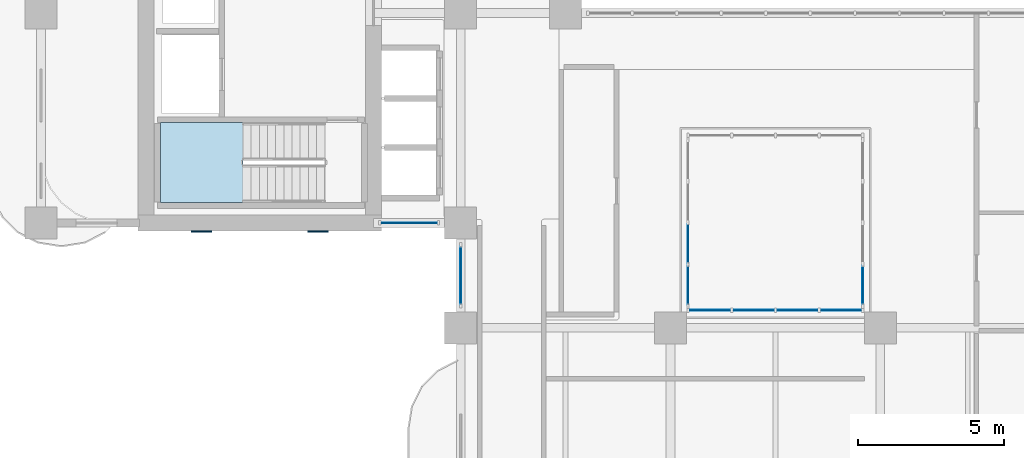
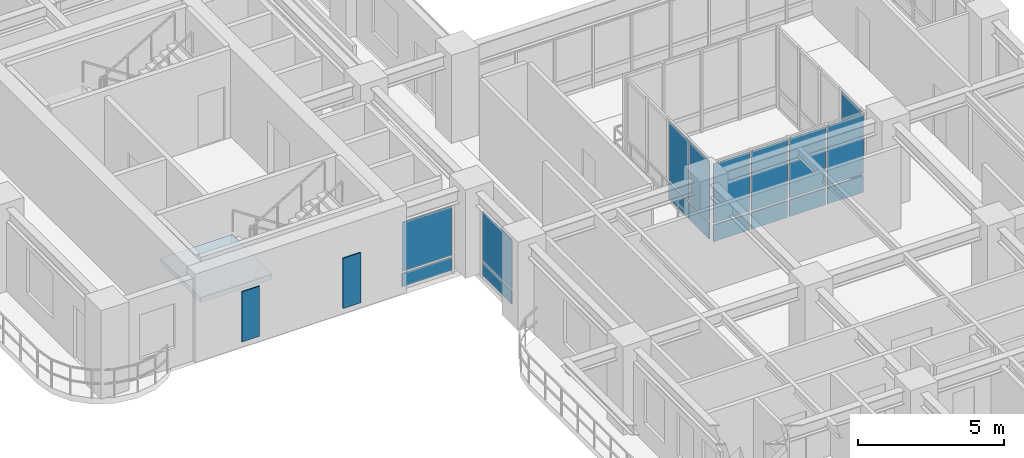
# One storey, part 9 of 22: 20 plates, 1 slab, 6 elements without a shape of their own.
"""IFC4 building model written with IfcOpenShell, lengths in metres."""

import ifcopenshell
import ifcopenshell.guid

model = None  # the IFC model being written
_history = None  # IfcOwnerHistory: only IFC2X3 demands one
_inside = {}  # id of a spatial element -> (the spatial element, [elements in it])
_under = {}  # id of a project, library or spatial element -> (it, [spatial elements below it])
_declared = {}  # id of a project -> (the project, [libraries it declares])
_typed = {}  # id of a type object -> (the type object, [elements of that type])
_made_of = {}  # id of a material, layer set ... -> (it, [elements and type objects made of it])


def new_model(schema):
    """Start an empty IFC model of exactly this schema.

    Asked for "IFC4X3", IfcOpenShell would pick the latest addendum, in which some entities
    have other attributes; the version numbers below select the first issue.
    IFC2X3 requires an IfcOwnerHistory on every rooted entity: one is made here for all.
    """
    global model, _history
    if schema == "IFC4X3":
        model = ifcopenshell.file(schema_version=(4, 3, 0, 0))
    else:
        model = ifcopenshell.file(schema=schema)
    _inside.clear()
    _under.clear()
    _declared.clear()
    _typed.clear()
    _made_of.clear()
    _history = None
    if model.schema == "IFC2X3":
        org = make("IfcOrganization", Name="unknown")
        user = make(
            "IfcPersonAndOrganization",
            ThePerson=make("IfcPerson", FamilyName="unknown"),
            TheOrganization=org,
        )
        app = make(
            "IfcApplication",
            ApplicationDeveloper=org,
            Version="unknown",
            ApplicationFullName="unknown",
            ApplicationIdentifier="unknown",
        )
        _history = make(
            "IfcOwnerHistory",
            OwningUser=user,
            OwningApplication=app,
            ChangeAction="ADDED",
            CreationDate=0,
        )
    return model


def make(cls, **values):
    """One entity of the class cls with the attributes given. An attribute that is None is left unset."""
    return model.create_entity(
        cls, **{name: value for name, value in values.items() if value is not None}
    )


def rooted(cls, **values):
    """An entity with a GlobalId (a new one), such as an element, a storey or a relation."""
    return make(cls, GlobalId=ifcopenshell.guid.new(), OwnerHistory=_history, **values)


def si_unit(unit_type, name, prefix=None):
    """IfcSIUnit, for example si_unit("LENGTHUNIT", "METRE", prefix="MILLI")."""
    return make("IfcSIUnit", UnitType=unit_type, Prefix=prefix, Name=name)


def derived_unit(unit_type, elements):
    """IfcDerivedUnit: a product of units, each with its exponent."""
    return make(
        "IfcDerivedUnit",
        Elements=[
            make("IfcDerivedUnitElement", Unit=unit, Exponent=power)
            for unit, power in elements
        ],
        UnitType=unit_type,
    )


def assignment(units):
    """IfcUnitAssignment: the units of a project."""
    return None if units is None else make("IfcUnitAssignment", Units=units)


def point(xyz):
    """IfcCartesianPoint."""
    return None if xyz is None else make("IfcCartesianPoint", Coordinates=xyz)


def direction(xyz):
    """IfcDirection."""
    return None if xyz is None else make("IfcDirection", DirectionRatios=xyz)


def frame(location, z_axis=None, x_axis=None):
    """IfcAxis2Placement3D, a coordinate frame: its origin and axes. An axis left out is left unset."""
    return make(
        "IfcAxis2Placement3D",
        Location=point(location),
        Axis=direction(z_axis),
        RefDirection=direction(x_axis),
    )


def frame_2d(location, x_axis=None):
    """IfcAxis2Placement2D, a coordinate frame in the plane: its origin and x axis."""
    return make(
        "IfcAxis2Placement2D", Location=point(location), RefDirection=direction(x_axis)
    )


def origin():
    """The frame at (0, 0, 0) with its axes left unset."""
    return frame((0.0, 0.0, 0.0))


def origin_2d():
    """The frame at (0, 0) in the plane with its x axis left unset."""
    return frame_2d((0.0, 0.0))


def place(relative_to, where):
    """IfcLocalPlacement: puts the frame where relative to a parent placement (None: the world)."""
    return make(
        "IfcLocalPlacement", PlacementRelTo=relative_to, RelativePlacement=where
    )


def context(
    kind, dimensions, precision=None, world=None, true_north=None, identifier=None
):
    """IfcGeometricRepresentationContext, for example the 3D "Model" context."""
    return make(
        "IfcGeometricRepresentationContext",
        ContextIdentifier=identifier,
        ContextType=kind,
        CoordinateSpaceDimension=dimensions,
        Precision=precision,
        WorldCoordinateSystem=world,
        TrueNorth=true_north,
    )


def subcontext(parent, identifier, kind, view, scale=None):
    """IfcGeometricRepresentationSubContext, for example "Body" below "Model"."""
    return make(
        "IfcGeometricRepresentationSubContext",
        ContextIdentifier=identifier,
        ContextType=kind,
        ParentContext=parent,
        TargetScale=scale,
        TargetView=view,
    )


def project(units=None, contexts=None):
    """IfcProject with its units and contexts."""
    return rooted(
        "IfcProject",
        Name="project",
        RepresentationContexts=contexts,
        UnitsInContext=assignment(units),
    )


def spatial(cls, under=None, at=None, **own):
    """A site, building, storey or space (cls), placed at a placement, below another one or the project."""
    s = rooted(cls, ObjectPlacement=at, **own)
    if under is not None:
        _under.setdefault(under.id(), (under, []))[1].append(s)
    return s


def polyline(points):
    """IfcPolyline through the points."""
    return make("IfcPolyline", Points=[point(p) for p in points])


def profile(cls, at=None, kind="AREA", **sizes):
    """A parametric profile (cls). Its sizes go by their IFC names, for example OverallWidth=200.0."""
    return make(cls, ProfileType=kind, Position=at, **sizes)


def rectangle(**sizes):
    """IfcRectangleProfileDef."""
    return profile("IfcRectangleProfileDef", **sizes)


def outline(outer, holes=None, kind="AREA"):
    """IfcArbitraryClosedProfileDef: a profile drawn as a closed curve; with holes, ...WithVoids."""
    if holes is None:
        return make("IfcArbitraryClosedProfileDef", ProfileType=kind, OuterCurve=outer)
    return make(
        "IfcArbitraryProfileDefWithVoids",
        ProfileType=kind,
        OuterCurve=outer,
        InnerCurves=holes,
    )


def extrude(swept, where, along, depth):
    """IfcExtrudedAreaSolid: the profile swept, set in the frame where, extruded along a direction by depth."""
    return make(
        "IfcExtrudedAreaSolid",
        SweptArea=swept,
        Position=where,
        ExtrudedDirection=direction(along),
        Depth=depth,
    )


def shape(context_of_items, identifier, shape_type, items):
    """IfcShapeRepresentation: the items that make up one representation, for example the "Body"."""
    return make(
        "IfcShapeRepresentation",
        ContextOfItems=context_of_items,
        RepresentationIdentifier=identifier,
        RepresentationType=shape_type,
        Items=items,
    )


def source(mapping_origin, context_of_items, identifier, shape_type, items):
    """IfcRepresentationMap: a shape defined once, which mapped items show again and again."""
    return make(
        "IfcRepresentationMap",
        MappingOrigin=mapping_origin,
        MappedRepresentation=shape(context_of_items, identifier, shape_type, items),
    )


def transform(
    local_origin,
    x_axis=None,
    y_axis=None,
    z_axis=None,
    scale=None,
    scale2=None,
    scale3=None,
    uniform=True,
):
    """IfcCartesianTransformationOperator3D, or its non-uniform kind. x_axis, y_axis, z_axis: its Axis1, 2, 3."""
    if uniform:
        return make(
            "IfcCartesianTransformationOperator3D",
            Axis1=direction(x_axis),
            Axis2=direction(y_axis),
            LocalOrigin=point(local_origin),
            Scale=scale,
            Axis3=direction(z_axis),
        )
    return make(
        "IfcCartesianTransformationOperator3DnonUniform",
        Axis1=direction(x_axis),
        Axis2=direction(y_axis),
        LocalOrigin=point(local_origin),
        Scale=scale,
        Axis3=direction(z_axis),
        Scale2=scale2,
        Scale3=scale3,
    )


def mapped(mapping_source, mapping_target):
    """IfcMappedItem: shows the shape of a source again, moved by a transform."""
    return make(
        "IfcMappedItem", MappingSource=mapping_source, MappingTarget=mapping_target
    )


def material(Name=None, Category=None):
    """IfcMaterial."""
    return make("IfcMaterial", Name=Name, Category=Category)


def layer(
    of_material, thickness, ventilated=None, Name=None, Category=None, Priority=None
):
    """IfcMaterialLayer: one layer of a wall or slab, of a material (None: an air gap)."""
    return make(
        "IfcMaterialLayer",
        Material=of_material,
        LayerThickness=thickness,
        IsVentilated=ventilated,
        Name=Name,
        Category=Category,
        Priority=Priority,
    )


def layer_set(layers, Name=None):
    """IfcMaterialLayerSet."""
    return make("IfcMaterialLayerSet", MaterialLayers=layers, LayerSetName=Name)


def made_of(thing, what):
    """Note that an element or type object is made of a material, layer set ...; save() writes the relation."""
    if what is not None:
        _made_of.setdefault(what.id(), (what, []))[1].append(thing)
    return thing


def type_object(cls, material=None, **own):
    """A type object (cls), such as IfcWallType, which elements share."""
    return made_of(rooted(cls, **own), material)


def type_shapes(of_type, sources):
    """Give a type object the sources (RepresentationMaps) that its elements show as mapped items."""
    of_type.RepresentationMaps = sources


def element(
    cls,
    number,
    at=None,
    inside=None,
    cuts=None,
    type_object=None,
    material=None,
    context=None,
    identifier="Body",
    shape_type=None,
    held_by="IfcProductDefinitionShape",
    body=None,
    shapes=None,
    **own,
):
    """One element of the class cls, such as IfcWall. Its Tag is "e" and its number.

    at: its placement. inside: the storey or other place that contains it. cuts: it is an
    opening in that element (IfcRelVoidsElement). A single representation is given by context,
    identifier, shape_type and body (its items); several are given by shapes. held_by: the class
    of the entity that holds the representations. save() writes the other relations.
    """
    e = rooted(cls, Tag="e%d" % number, ObjectPlacement=at, **own)
    if body is not None:
        shapes = [shape(context, identifier, shape_type, body)]
    if shapes is not None:
        e.Representation = make(held_by, Representations=shapes)
    if inside is not None:
        _inside.setdefault(inside.id(), (inside, []))[1].append(e)
    if cuts is not None:
        rooted(
            "IfcRelVoidsElement", RelatingBuildingElement=cuts, RelatedOpeningElement=e
        )
    if type_object is not None:
        _typed.setdefault(type_object.id(), (type_object, []))[1].append(e)
    return made_of(e, material)


def aggregate(whole, parts):
    """IfcRelAggregates: a whole, such as a stair, and the parts it consists of."""
    return rooted("IfcRelAggregates", RelatingObject=whole, RelatedObjects=parts)


def save(model, path):
    """Write the relations noted so far, then the file.

    IfcRelAggregates (storeys below a building ...), IfcRelContainedInSpatialStructure (elements
    in a storey), IfcRelDefinesByType, IfcRelAssociatesMaterial and IfcRelDeclares: one each for
    every whole, place, type object, material and project.
    """
    for whole, parts in _under.values():
        aggregate(whole, parts)
    for where, things in _inside.values():
        rooted(
            "IfcRelContainedInSpatialStructure",
            RelatedElements=things,
            RelatingStructure=where,
        )
    for kind, things in _typed.values():
        rooted("IfcRelDefinesByType", RelatedObjects=things, RelatingType=kind)
    for what, things in _made_of.values():
        rooted("IfcRelAssociatesMaterial", RelatedObjects=things, RelatingMaterial=what)
    for by, libraries in _declared.values():
        rooted("IfcRelDeclares", RelatingContext=by, RelatedDefinitions=libraries)
    model.write(path)


model = new_model("IFC4")

# Units and contexts
model_context = context("Model", 3, precision=1e-05, world=origin(), true_north=direction((0.0, 1.0)))
body_context = subcontext(model_context, "Body", "Model", "MODEL_VIEW")
ifc_project = project(units=[si_unit("LENGTHUNIT", "METRE"), si_unit("AREAUNIT", "SQUARE_METRE"), si_unit("VOLUMEUNIT", "CUBIC_METRE"), si_unit("PLANEANGLEUNIT", "RADIAN"), si_unit("MASSUNIT", "GRAM", prefix="KILO"), si_unit("THERMODYNAMICTEMPERATUREUNIT", "KELVIN"), si_unit("POWERUNIT", "WATT"), derived_unit("THERMALTRANSMITTANCEUNIT", [(si_unit("POWERUNIT", "WATT"), 1), (si_unit("AREAUNIT", "SQUARE_METRE"), -1), (si_unit("THERMODYNAMICTEMPERATUREUNIT", "KELVIN"), -1)])], contexts=[model_context])

# Site, building, storey
site_placement = place(None, origin())
site = spatial("IfcSite", under=ifc_project, at=site_placement, CompositionType="ELEMENT")
building_placement = place(site_placement, origin())
building = spatial("IfcBuilding", under=site, at=building_placement, Name="Zahravan Archway Hotel and Residences", CompositionType="ELEMENT")
storey_placement = place(building_placement, frame((0.0, 0.0, 73.10009765625)))
storey = spatial("IfcBuildingStorey", under=building, at=storey_placement, Name="L17", CompositionType="ELEMENT", Elevation=73.10009765625)

# Stair, slab
ifc_material_1 = material(Name="Concrete C50/60", Category="concrete")
stair_type = type_object("IfcStairType", Name="STR-CORE-1300", PredefinedType="HALF_TURN_STAIR", material=ifc_material_1)
stair_placement = place(storey_placement, origin())
stair = element("IfcStair", 1, at=stair_placement, inside=storey, type_object=stair_type, Name="L17 Core B Exit Stair 1", PredefinedType="HALF_TURN_STAIR")
ifc_layer_1 = layer(ifc_material_1, 0.199951171875, Name="Concrete C50/60", Category="concrete")
ifc_layer_set_1 = layer_set([ifc_layer_1], Name="Concrete C50/60")
slab_type = type_object("IfcSlabType", Name="SLB-LND-200", PredefinedType="LANDING", material=ifc_layer_set_1)
slab_placement = place(storey_placement, frame((0.0, 0.0, 1.64990234375)))
slab = element("IfcSlab", 2, at=slab_placement, type_object=slab_type, Name="ST-B1 landing 1", PredefinedType="LANDING", context=body_context, shape_type="SweptSolid", body=[
    extrude(outline(polyline([(6.929931640625, 28.639892578125), (4.10009765625, 28.639892578125), (4.10009765625, 25.89990234375), (6.929931640625, 25.89990234375), (6.929931640625, 28.639892578125)])), origin(), (0.0, 0.0, 1.0), 0.199951171875),
])
aggregate(stair, [slab])

# Plates
ifc_material_2 = material(Name="Perforated Cast Bronze Jali Lattice")
ifc_layer_2 = layer(ifc_material_2, 0.044921875, Name="Perforated Cast Bronze Jali Lattice")
ifc_layer_set_2 = layer_set([ifc_layer_2], Name="Perforated Cast Bronze Jali Lattice")
plate_type_1 = type_object("IfcPlateType", Name="PLT-JALI-BAY", PredefinedType="USERDEFINED", material=ifc_layer_set_2)
shared_shape_1 = source(origin(), body_context, "Body", "SweptSolid", [
    extrude(rectangle(XDim=0.699951171875, YDim=0.044921875, at=origin_2d()), origin(), (0.0, 0.0, 1.0), 2.10009765625),
])
type_shapes(plate_type_1, [shared_shape_1])
for number, where, z_axis, x_axis, name in (
    (3, (5.5, 24.906982421875, 0.249755859375), (0.0, 0.0, 1.0), (1.0, 0.0, 0.0), "L17 Core B South Mughal Jali Screen 1"),
    (4, (9.5, 24.906982421875, 0.249755859375), (0.0, 0.0, 1.0), (1.0, 0.0, 0.0), "L17 Core B South Mughal Jali Screen 2"),
):
    element("IfcPlate", number, at=place(storey_placement, frame(where, z_axis=z_axis, x_axis=x_axis)), inside=storey, type_object=plate_type_1, Name=name, ObjectType="SCREEN", PredefinedType="USERDEFINED", context=body_context, shape_type="MappedRepresentation", body=[
        mapped(shared_shape_1, transform((0.0, 0.0, 0.0), scale=1.0)),
    ])

# Curtain wall, plates
ifc_material_3 = material(Name="Bronze-Anodized Unitised Aluminium & Low-E Glass", Category="aluminium")
ifc_layer_3 = layer(ifc_material_3, 0.179931640625, Name="Bronze-Anodized Unitised Aluminium & Low-E Glass", Category="aluminium")
ifc_layer_set_3 = layer_set([ifc_layer_3], Name="Bronze-Anodized Unitised Aluminium & Low-E Glass")
curtain_wall_type = type_object("IfcCurtainWallType", Name="CW-ATR-GLAZ", PredefinedType="NOTDEFINED", material=ifc_layer_set_3)
curtain_wall_1_placement = place(storey_placement, origin())
curtain_wall_1 = element("IfcCurtainWall", 5, at=curtain_wall_1_placement, inside=storey, type_object=curtain_wall_type, Name="L17 Curtain Wall CW-L17-WB-SE-1", PredefinedType="NOTDEFINED")
ifc_material_4 = material(Name="Insulated Terracotta Spandrel Panel", Category="masonry")
ifc_layer_4 = layer(ifc_material_4, 0.0400390625, Name="Insulated Terracotta Spandrel Panel", Category="masonry")
ifc_layer_set_4 = layer_set([ifc_layer_4], Name="Insulated Terracotta Spandrel Panel")
plate_type_2 = type_object("IfcPlateType", Name="CWP-SPN-40", PredefinedType="SHEET", material=ifc_layer_set_4)
shared_shape_2 = source(origin(), body_context, "Body", "SweptSolid", [
    extrude(rectangle(XDim=1.93994140625, YDim=0.0400390625, at=origin_2d()), origin(), (0.0, 0.0, 1.0), 0.552490234375),
])
plate_1_placement = place(storey_placement, frame((12.6298828125, 25.199951171875, 0.10009765625), z_axis=(0.0, 0.0, 1.0), x_axis=(1.0, 0.0, 0.0)))
plate_1 = element("IfcPlate", 6, at=plate_1_placement, type_object=plate_type_2, Name="CW-L17-WB-SE-1 Spandrel Panel 0", PredefinedType="SHEET", context=body_context, shape_type="MappedRepresentation", body=[
    mapped(shared_shape_2, transform((0.0, 0.0, 0.0), scale=1.0)),
])
ifc_material_5 = material(Name="Double-Silver Low-E Insulated Vision Glass", Category="glass")
ifc_layer_5 = layer(ifc_material_5, 0.028076171875, Name="Double-Silver Low-E Insulated Vision Glass", Category="glass")
ifc_layer_set_5 = layer_set([ifc_layer_5], Name="Double-Silver Low-E Insulated Vision Glass")
plate_type_3 = type_object("IfcPlateType", Name="CWP-GLZ-28", PredefinedType="CURTAIN_PANEL", material=ifc_layer_set_5)
shared_shape_3 = source(origin(), body_context, "Body", "SweptSolid", [
    extrude(rectangle(XDim=1.93994140625, YDim=0.028076171875, at=origin_2d()), origin(), (0.0, 0.0, 1.0), 2.052490234375),
])
plate_2_placement = place(storey_placement, frame((12.6298828125, 25.199951171875, 0.732421875), z_axis=(0.0, 0.0, 1.0), x_axis=(1.0, 0.0, 0.0)))
plate_2 = element("IfcPlate", 7, at=plate_2_placement, type_object=plate_type_3, Name="CW-L17-WB-SE-1 Low-E Vision Panel 0", PredefinedType="CURTAIN_PANEL", context=body_context, shape_type="MappedRepresentation", body=[
    mapped(shared_shape_3, transform((0.0, 0.0, 0.0), scale=1.0)),
])
aggregate(curtain_wall_1, [plate_1, plate_2])

curtain_wall_2_placement = place(storey_placement, origin())
curtain_wall_2 = element("IfcCurtainWall", 8, at=curtain_wall_2_placement, inside=storey, type_object=curtain_wall_type, Name="L17 Curtain Wall CW-L17-WA-WLU-1", PredefinedType="NOTDEFINED")
shared_shape_4 = source(origin(), body_context, "Body", "SweptSolid", [
    extrude(rectangle(XDim=2.0, YDim=0.0400390625, at=origin_2d()), origin(), (0.0, 0.0, 1.0), 0.552490234375),
])
plate_3_placement = place(storey_placement, frame((14.39990234375, 23.39990234375, 0.10009765625), z_axis=(0.0, 0.0, 1.0), x_axis=(0.0, 1.0, 0.0)))
plate_3 = element("IfcPlate", 9, at=plate_3_placement, type_object=plate_type_2, Name="CW-L17-WA-WLU-1 Spandrel Panel 0", PredefinedType="SHEET", context=body_context, shape_type="MappedRepresentation", body=[
    mapped(shared_shape_4, transform((0.0, 0.0, 0.0), scale=1.0)),
])
shared_shape_5 = source(origin(), body_context, "Body", "SweptSolid", [
    extrude(rectangle(XDim=2.0, YDim=0.028076171875, at=origin_2d()), origin(), (0.0, 0.0, 1.0), 2.052490234375),
])
plate_4_placement = place(storey_placement, frame((14.39990234375, 23.39990234375, 0.732421875), z_axis=(0.0, 0.0, 1.0), x_axis=(0.0, 1.0, 0.0)))
plate_4 = element("IfcPlate", 10, at=plate_4_placement, type_object=plate_type_3, Name="CW-L17-WA-WLU-1 Low-E Vision Panel 0", PredefinedType="CURTAIN_PANEL", context=body_context, shape_type="MappedRepresentation", body=[
    mapped(shared_shape_5, transform((0.0, 0.0, 0.0), scale=1.0)),
])
aggregate(curtain_wall_2, [plate_3, plate_4])

curtain_wall_3_placement = place(storey_placement, origin())
curtain_wall_3 = element("IfcCurtainWall", 11, at=curtain_wall_3_placement, inside=storey, type_object=curtain_wall_type, Name="L17 Curtain Wall CW-ATR-L17-S-1", PredefinedType="NOTDEFINED")
shared_shape_6 = source(origin(), body_context, "Body", "SweptSolid", [
    extrude(rectangle(XDim=1.419921875, YDim=0.0400390625, at=origin_2d()), origin(), (0.0, 0.0, 1.0), 0.68798828125),
])
plate_5_placement = place(storey_placement, frame((22.949951171875, 22.199951171875, 0.099853515625), z_axis=(0.0, 0.0, 1.0), x_axis=(1.0, 0.0, 0.0)))
plate_5 = element("IfcPlate", 12, at=plate_5_placement, type_object=plate_type_2, Name="CW-ATR-L17-S-1 Spandrel Panel 0", PredefinedType="SHEET", context=body_context, shape_type="MappedRepresentation", body=[
    mapped(shared_shape_6, transform((0.0, 0.0, 0.0), scale=1.0)),
])
plate_6_placement = place(storey_placement, frame((24.449951171875, 22.199951171875, 0.099853515625), z_axis=(0.0, 0.0, 1.0), x_axis=(1.0, 0.0, 0.0)))
plate_6 = element("IfcPlate", 13, at=plate_6_placement, type_object=plate_type_2, Name="CW-ATR-L17-S-1 Spandrel Panel 1", PredefinedType="SHEET", context=body_context, shape_type="MappedRepresentation", body=[
    mapped(shared_shape_6, transform((0.0, 0.0, 0.0), scale=1.0)),
])
plate_7_placement = place(storey_placement, frame((25.949951171875, 22.199951171875, 0.099853515625), z_axis=(0.0, 0.0, 1.0), x_axis=(1.0, 0.0, 0.0)))
plate_7 = element("IfcPlate", 14, at=plate_7_placement, type_object=plate_type_2, Name="CW-ATR-L17-S-1 Spandrel Panel 2", PredefinedType="SHEET", context=body_context, shape_type="MappedRepresentation", body=[
    mapped(shared_shape_6, transform((0.0, 0.0, 0.0), scale=1.0)),
])
plate_8_placement = place(storey_placement, frame((27.449951171875, 22.199951171875, 0.099853515625), z_axis=(0.0, 0.0, 1.0), x_axis=(1.0, 0.0, 0.0)))
plate_8 = element("IfcPlate", 15, at=plate_8_placement, type_object=plate_type_2, Name="CW-ATR-L17-S-1 Spandrel Panel 3", PredefinedType="SHEET", context=body_context, shape_type="MappedRepresentation", body=[
    mapped(shared_shape_6, transform((0.0, 0.0, 0.0), scale=1.0)),
])
shared_shape_7 = source(origin(), body_context, "Body", "SweptSolid", [
    extrude(rectangle(XDim=1.419921875, YDim=0.028076171875, at=origin_2d()), origin(), (0.0, 0.0, 1.0), 2.48193359375),
])
plate_9_placement = place(storey_placement, frame((22.949951171875, 22.199951171875, 0.867919921875), z_axis=(0.0, 0.0, 1.0), x_axis=(1.0, 0.0, 0.0)))
plate_9 = element("IfcPlate", 16, at=plate_9_placement, type_object=plate_type_3, Name="CW-ATR-L17-S-1 Low-E Vision Panel 0", PredefinedType="CURTAIN_PANEL", context=body_context, shape_type="MappedRepresentation", body=[
    mapped(shared_shape_7, transform((0.0, 0.0, 0.0), scale=1.0)),
])
plate_10_placement = place(storey_placement, frame((24.449951171875, 22.199951171875, 0.867919921875), z_axis=(0.0, 0.0, 1.0), x_axis=(1.0, 0.0, 0.0)))
plate_10 = element("IfcPlate", 17, at=plate_10_placement, type_object=plate_type_3, Name="CW-ATR-L17-S-1 Low-E Vision Panel 1", PredefinedType="CURTAIN_PANEL", context=body_context, shape_type="MappedRepresentation", body=[
    mapped(shared_shape_7, transform((0.0, 0.0, 0.0), scale=1.0)),
])
plate_11_placement = place(storey_placement, frame((25.949951171875, 22.199951171875, 0.867919921875), z_axis=(0.0, 0.0, 1.0), x_axis=(1.0, 0.0, 0.0)))
plate_11 = element("IfcPlate", 18, at=plate_11_placement, type_object=plate_type_3, Name="CW-ATR-L17-S-1 Low-E Vision Panel 2", PredefinedType="CURTAIN_PANEL", context=body_context, shape_type="MappedRepresentation", body=[
    mapped(shared_shape_7, transform((0.0, 0.0, 0.0), scale=1.0)),
])
plate_12_placement = place(storey_placement, frame((27.449951171875, 22.199951171875, 0.867919921875), z_axis=(0.0, 0.0, 1.0), x_axis=(1.0, 0.0, 0.0)))
plate_12 = element("IfcPlate", 19, at=plate_12_placement, type_object=plate_type_3, Name="CW-ATR-L17-S-1 Low-E Vision Panel 3", PredefinedType="CURTAIN_PANEL", context=body_context, shape_type="MappedRepresentation", body=[
    mapped(shared_shape_7, transform((0.0, 0.0, 0.0), scale=1.0)),
])
aggregate(curtain_wall_3, [plate_5, plate_9, plate_6, plate_10, plate_7, plate_11, plate_8, plate_12])

curtain_wall_4_placement = place(storey_placement, origin())
curtain_wall_4 = element("IfcCurtainWall", 20, at=curtain_wall_4_placement, inside=storey, type_object=curtain_wall_type, Name="L17 Curtain Wall CW-ATR-L17-W-1", PredefinedType="NOTDEFINED")
shared_shape_8 = source(origin(), body_context, "Body", "SweptSolid", [
    extrude(rectangle(XDim=1.344970703125, YDim=0.0400390625, at=origin_2d()), origin(), (0.0, 0.0, 1.0), 0.68798828125),
])
plate_13_placement = place(storey_placement, frame((22.199951171875, 23.0625, 0.099853515625), z_axis=(0.0, 0.0, 1.0), x_axis=(0.0, 1.0, 0.0)))
plate_13 = element("IfcPlate", 21, at=plate_13_placement, type_object=plate_type_2, Name="CW-ATR-L17-W-1 Spandrel Panel 0", PredefinedType="SHEET", context=body_context, shape_type="MappedRepresentation", body=[
    mapped(shared_shape_8, transform((0.0, 0.0, 0.0), scale=1.0)),
])
plate_14_placement = place(storey_placement, frame((22.199951171875, 24.487548828125, 0.099853515625), z_axis=(0.0, 0.0, 1.0), x_axis=(0.0, 1.0, 0.0)))
plate_14 = element("IfcPlate", 22, at=plate_14_placement, type_object=plate_type_2, Name="CW-ATR-L17-W-1 Spandrel Panel 1", PredefinedType="SHEET", context=body_context, shape_type="MappedRepresentation", body=[
    mapped(shared_shape_8, transform((0.0, 0.0, 0.0), scale=1.0)),
])

# Curtain wall, plate
curtain_wall_5_placement = place(storey_placement, origin())
curtain_wall_5 = element("IfcCurtainWall", 23, at=curtain_wall_5_placement, inside=storey, type_object=curtain_wall_type, Name="L17 Curtain Wall CW-ATR-L17-E-1", PredefinedType="NOTDEFINED")
plate_15_placement = place(storey_placement, frame((28.199951171875, 23.0625, 0.099853515625), z_axis=(0.0, 0.0, 1.0), x_axis=(0.0, 1.0, 0.0)))
plate_15 = element("IfcPlate", 24, at=plate_15_placement, type_object=plate_type_2, Name="CW-ATR-L17-E-1 Spandrel Panel 0", PredefinedType="SHEET", context=body_context, shape_type="MappedRepresentation", body=[
    mapped(shared_shape_8, transform((0.0, 0.0, 0.0), scale=1.0)),
])

# Plate
shared_shape_9 = source(origin(), body_context, "Body", "SweptSolid", [
    extrude(rectangle(XDim=1.344970703125, YDim=0.028076171875, at=origin_2d()), origin(), (0.0, 0.0, 1.0), 2.48193359375),
])
plate_16_placement = place(storey_placement, frame((22.199951171875, 23.0625, 0.867919921875), z_axis=(0.0, 0.0, 1.0), x_axis=(0.0, 1.0, 0.0)))
plate_16 = element("IfcPlate", 25, at=plate_16_placement, type_object=plate_type_3, Name="CW-ATR-L17-W-1 Low-E Vision Panel 0", PredefinedType="CURTAIN_PANEL", context=body_context, shape_type="MappedRepresentation", body=[
    mapped(shared_shape_9, transform((0.0, 0.0, 0.0), scale=1.0)),
])

plate_17_placement = place(storey_placement, frame((22.199951171875, 24.487548828125, 0.867919921875), z_axis=(0.0, 0.0, 1.0), x_axis=(0.0, 1.0, 0.0)))
plate_17 = element("IfcPlate", 26, at=plate_17_placement, type_object=plate_type_3, Name="CW-ATR-L17-W-1 Low-E Vision Panel 1", PredefinedType="CURTAIN_PANEL", context=body_context, shape_type="MappedRepresentation", body=[
    mapped(shared_shape_9, transform((0.0, 0.0, 0.0), scale=1.0)),
])

aggregate(curtain_wall_4, [plate_13, plate_16, plate_14, plate_17])

plate_18_placement = place(storey_placement, frame((28.199951171875, 23.0625, 0.867919921875), z_axis=(0.0, 0.0, 1.0), x_axis=(0.0, 1.0, 0.0)))
plate_18 = element("IfcPlate", 27, at=plate_18_placement, type_object=plate_type_3, Name="CW-ATR-L17-E-1 Low-E Vision Panel 0", PredefinedType="CURTAIN_PANEL", context=body_context, shape_type="MappedRepresentation", body=[
    mapped(shared_shape_9, transform((0.0, 0.0, 0.0), scale=1.0)),
])

aggregate(curtain_wall_5, [plate_15, plate_18])

save(model, "model.ifc")
